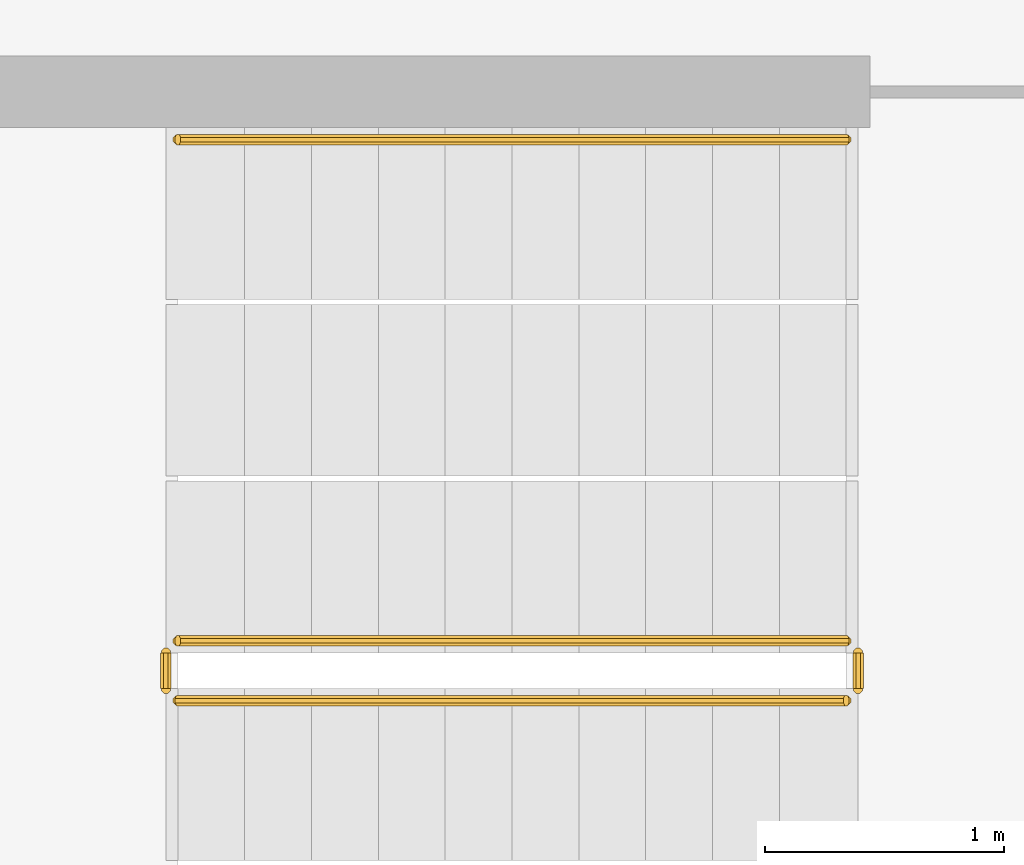
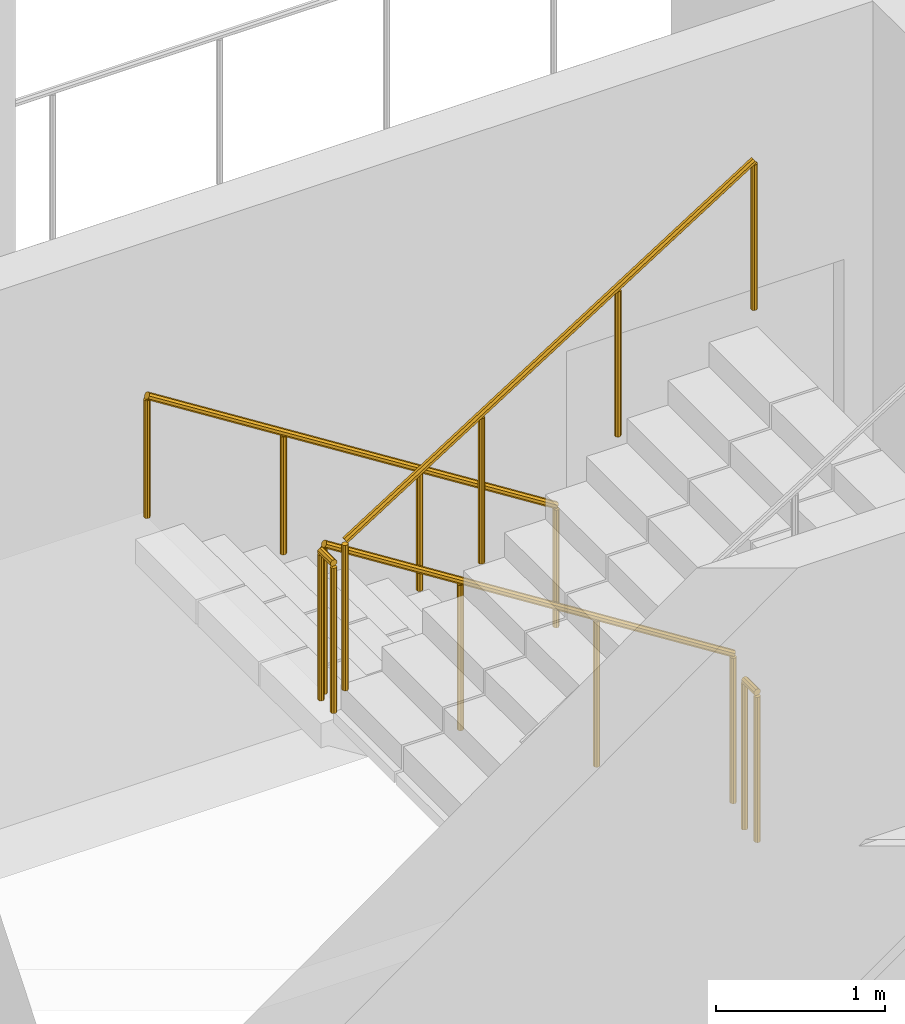
# One storey, part 19 of 26: 5 railings.
"""IFC4 building model written with IfcOpenShell, lengths in metres."""

from ifc_helpers import new_model, si_unit, direction, frame, origin, place, context, subcontext, project, spatial, polyline, outline, extrude, material, type_object, element, save


model = new_model("IFC4")

# Units and contexts
model_context = context("Model", 3, precision=1e-05, world=origin(), true_north=direction((0.0, 1.0)))
body_context = subcontext(model_context, "Body", "Model", "MODEL_VIEW")
ifc_project = project(units=[si_unit("LENGTHUNIT", "METRE"), si_unit("AREAUNIT", "SQUARE_METRE"), si_unit("VOLUMEUNIT", "CUBIC_METRE"), si_unit("PLANEANGLEUNIT", "RADIAN"), si_unit("MASSUNIT", "GRAM", prefix="KILO")], contexts=[model_context])

# Site, building, storey
site_placement = place(None, origin())
site = spatial("IfcSite", under=ifc_project, at=site_placement, CompositionType="ELEMENT")
building_placement = place(site_placement, origin())
building = spatial("IfcBuilding", under=site, at=building_placement, Name="Cormorant Relay Tower", CompositionType="ELEMENT")
storey_placement = place(building_placement, frame((0.0, 0.0, 213.0)))
storey = spatial("IfcBuildingStorey", under=building, at=storey_placement, Name="L46", CompositionType="ELEMENT", Elevation=213.0)

# Railings
ifc_material_1 = material(Name="Steel ASTM A572 Grade 50 (Fy 345 MPa)", Category="steel")
railing_type_1 = type_object("IfcRailingType", Name="Stair guard 1100", PredefinedType="GUARDRAIL", material=ifc_material_1)
railing_1_placement = place(storey_placement, frame((1.60009765625, -18.27490234375, 0.17724609375)))
element("IfcRailing", 1, at=railing_1_placement, inside=storey, type_object=railing_type_1, Name="L46 RK1 stair guard 1", PredefinedType="GUARDRAIL", context=body_context, shape_type="SweptSolid", body=[
    extrude(outline(polyline([(0.022216796875, 0.00927734375), (0.00927734375, 0.022216796875), (-0.00927734375, 0.022216796875), (-0.022216796875, 0.00927734375), (-0.022216796875, -0.00927734375), (-0.00927734375, -0.022216796875), (0.00927734375, -0.022216796875), (0.022216796875, -0.00927734375), (0.022216796875, 0.00927734375)])), frame((0.0, 0.0, 1.076171875), z_axis=(-0.844908973607, 0.0, 0.534910110503), x_axis=(0.0, -1.0, 0.0)), (0.0, 0.0, 1.0), 3.31396484375),
    extrude(outline(polyline([(0.019287109375, 0.008056640625), (0.008056640625, 0.019287109375), (-0.008056640625, 0.019287109375), (-0.019287109375, 0.008056640625), (-0.019287109375, -0.008056640625), (-0.008056640625, -0.019287109375), (0.008056640625, -0.019287109375), (0.019287109375, -0.008056640625), (0.019287109375, 0.008056640625)])), origin(), (0.0, 0.0, 1.0), 1.052001953125),
    extrude(outline(polyline([(0.019287109375, 0.008056640625), (0.008056640625, 0.019287109375), (-0.008056640625, 0.019287109375), (-0.019287109375, 0.008056640625), (-0.019287109375, -0.008056640625), (-0.008056640625, -0.019287109375), (0.008056640625, -0.019287109375), (0.019287109375, -0.008056640625), (0.019287109375, 0.008056640625)])), frame((-0.933349609375, 0.0, 0.5908203125)), (0.0, 0.0, 1.0), 1.052001953125),
    extrude(outline(polyline([(0.019287109375, 0.008056640625), (0.008056640625, 0.019287109375), (-0.008056640625, 0.019287109375), (-0.019287109375, 0.008056640625), (-0.019287109375, -0.008056640625), (-0.008056640625, -0.019287109375), (0.008056640625, -0.019287109375), (0.019287109375, -0.008056640625), (0.019287109375, 0.008056640625)])), frame((-1.86669921875, 0.0, 1.181884765625)), (0.0, 0.0, 1.0), 1.052001953125),
    extrude(outline(polyline([(0.019287109375, 0.008056640625), (0.008056640625, 0.019287109375), (-0.008056640625, 0.019287109375), (-0.019287109375, 0.008056640625), (-0.019287109375, -0.008056640625), (-0.008056640625, -0.019287109375), (0.008056640625, -0.019287109375), (0.019287109375, -0.008056640625), (0.019287109375, 0.008056640625)])), frame((-2.800048828125, 0.0, 1.772705078125)), (0.0, 0.0, 1.0), 1.052001953125),
])
railing_2_placement = place(storey_placement, frame((-1.25, -18.324951171875, 1.949951171875)))
element("IfcRailing", 2, at=railing_2_placement, inside=storey, type_object=railing_type_1, Name="L46 RK1 stair guard 2", PredefinedType="GUARDRAIL", context=body_context, shape_type="SweptSolid", body=[
    extrude(outline(polyline([(0.022216796875, 0.00927734375), (0.00927734375, 0.022216796875), (-0.00927734375, 0.022216796875), (-0.022216796875, 0.00927734375), (-0.022216796875, -0.00927734375), (-0.00927734375, -0.022216796875), (0.00927734375, -0.022216796875), (0.022216796875, -0.00927734375), (0.022216796875, 0.00927734375)])), frame((0.0, 0.0, 1.076171875), z_axis=(0.0, -1.0, 0.0), x_axis=(1.0, 0.0, 0.0)), (0.0, 0.0, 1.0), 0.150146484375),
    extrude(outline(polyline([(0.019287109375, 0.008056640625), (0.008056640625, 0.019287109375), (-0.008056640625, 0.019287109375), (-0.019287109375, 0.008056640625), (-0.019287109375, -0.008056640625), (-0.008056640625, -0.019287109375), (0.008056640625, -0.019287109375), (0.019287109375, -0.008056640625), (0.019287109375, 0.008056640625)])), origin(), (0.0, 0.0, 1.0), 1.052001953125),
    extrude(outline(polyline([(0.019287109375, 0.008056640625), (0.008056640625, 0.019287109375), (-0.008056640625, 0.019287109375), (-0.019287109375, 0.008056640625), (-0.019287109375, -0.008056640625), (-0.008056640625, -0.019287109375), (0.008056640625, -0.019287109375), (0.019287109375, -0.008056640625), (0.019287109375, 0.008056640625)])), frame((0.0, -0.150146484375, 0.0)), (0.0, 0.0, 1.0), 1.052001953125),
])
railing_3_placement = place(storey_placement, frame((-1.199951171875, -18.52490234375, 2.127197265625)))
element("IfcRailing", 3, at=railing_3_placement, inside=storey, type_object=railing_type_1, Name="L46 RK1 stair guard 3", PredefinedType="GUARDRAIL", context=body_context, shape_type="SweptSolid", body=[
    extrude(outline(polyline([(0.022216796875, 0.00927734375), (0.00927734375, 0.022216796875), (-0.00927734375, 0.022216796875), (-0.022216796875, 0.00927734375), (-0.022216796875, -0.00927734375), (-0.00927734375, -0.022216796875), (0.00927734375, -0.022216796875), (0.022216796875, -0.00927734375), (0.022216796875, 0.00927734375)])), frame((0.0, 0.0, 1.076171875), z_axis=(0.844908973607, 0.0, 0.534910110503), x_axis=(0.0, 1.0, 0.0)), (0.0, 0.0, 1.0), 3.31396484375),
    extrude(outline(polyline([(0.019287109375, 0.008056640625), (0.008056640625, 0.019287109375), (-0.008056640625, 0.019287109375), (-0.019287109375, 0.008056640625), (-0.019287109375, -0.008056640625), (-0.008056640625, -0.019287109375), (0.008056640625, -0.019287109375), (0.019287109375, -0.008056640625), (0.019287109375, 0.008056640625)])), origin(), (0.0, 0.0, 1.0), 1.052001953125),
    extrude(outline(polyline([(0.019287109375, 0.008056640625), (0.008056640625, 0.019287109375), (-0.008056640625, 0.019287109375), (-0.019287109375, 0.008056640625), (-0.019287109375, -0.008056640625), (-0.008056640625, -0.019287109375), (0.008056640625, -0.019287109375), (0.019287109375, -0.008056640625), (0.019287109375, 0.008056640625)])), frame((0.933349609375, 0.0, 0.5908203125)), (0.0, 0.0, 1.0), 1.052001953125),
    extrude(outline(polyline([(0.019287109375, 0.008056640625), (0.008056640625, 0.019287109375), (-0.008056640625, 0.019287109375), (-0.019287109375, 0.008056640625), (-0.019287109375, -0.008056640625), (-0.008056640625, -0.019287109375), (0.008056640625, -0.019287109375), (0.019287109375, -0.008056640625), (0.019287109375, 0.008056640625)])), frame((1.86669921875, 0.0, 1.181884765625)), (0.0, 0.0, 1.0), 1.052001953125),
    extrude(outline(polyline([(0.019287109375, 0.008056640625), (0.008056640625, 0.019287109375), (-0.008056640625, 0.019287109375), (-0.019287109375, 0.008056640625), (-0.019287109375, -0.008056640625), (-0.008056640625, -0.019287109375), (0.008056640625, -0.019287109375), (0.019287109375, -0.008056640625), (0.019287109375, 0.008056640625)])), frame((2.800048828125, 0.0, 1.772705078125)), (0.0, 0.0, 1.0), 1.052001953125),
])
railing_4_placement = place(storey_placement, frame((1.64990234375, -18.324951171875, 0.0)))
element("IfcRailing", 4, at=railing_4_placement, inside=storey, type_object=railing_type_1, Name="L46 RK1 stair guard 4", PredefinedType="GUARDRAIL", context=body_context, shape_type="SweptSolid", body=[
    extrude(outline(polyline([(0.022216796875, 0.00927734375), (0.00927734375, 0.022216796875), (-0.00927734375, 0.022216796875), (-0.022216796875, 0.00927734375), (-0.022216796875, -0.00927734375), (-0.00927734375, -0.022216796875), (0.00927734375, -0.022216796875), (0.022216796875, -0.00927734375), (0.022216796875, 0.00927734375)])), frame((0.0, 0.0, 1.076171875), z_axis=(0.0, -1.0, 0.0), x_axis=(1.0, 0.0, 0.0)), (0.0, 0.0, 1.0), 0.150146484375),
    extrude(outline(polyline([(0.019287109375, 0.008056640625), (0.008056640625, 0.019287109375), (-0.008056640625, 0.019287109375), (-0.019287109375, 0.008056640625), (-0.019287109375, -0.008056640625), (-0.008056640625, -0.019287109375), (0.008056640625, -0.019287109375), (0.019287109375, -0.008056640625), (0.019287109375, 0.008056640625)])), origin(), (0.0, 0.0, 1.0), 1.052001953125),
    extrude(outline(polyline([(0.019287109375, 0.008056640625), (0.008056640625, 0.019287109375), (-0.008056640625, 0.019287109375), (-0.019287109375, 0.008056640625), (-0.019287109375, -0.008056640625), (-0.008056640625, -0.019287109375), (0.008056640625, -0.019287109375), (0.019287109375, -0.008056640625), (0.019287109375, 0.008056640625)])), frame((0.0, -0.150146484375, 0.0)), (0.0, 0.0, 1.0), 1.052001953125),
])
ifc_material_2 = material(Name="Steel ASTM A572 Grade 50 (Fy 345 MPa)", Category="steel")
railing_type_2 = type_object("IfcRailingType", Name="Stair handrail 900", PredefinedType="HANDRAIL", material=ifc_material_2)
railing_5_placement = place(storey_placement, frame((1.60009765625, -16.175048828125, 0.17724609375)))
element("IfcRailing", 5, at=railing_5_placement, inside=storey, type_object=railing_type_2, Name="L46 RK1 stair handrail 1", PredefinedType="HANDRAIL", context=body_context, shape_type="SweptSolid", body=[
    extrude(outline(polyline([(0.022216796875, 0.00927734375), (0.00927734375, 0.022216796875), (-0.00927734375, 0.022216796875), (-0.022216796875, 0.00927734375), (-0.022216796875, -0.00927734375), (-0.00927734375, -0.022216796875), (0.00927734375, -0.022216796875), (0.022216796875, -0.00927734375), (0.022216796875, 0.00927734375)])), frame((0.0, 0.0, 0.8759765625), z_axis=(-0.844908973607, 0.0, 0.534910110503), x_axis=(0.0, -1.0, 0.0)), (0.0, 0.0, 1.0), 3.31396484375),
    extrude(outline(polyline([(0.019287109375, 0.008056640625), (0.008056640625, 0.019287109375), (-0.008056640625, 0.019287109375), (-0.019287109375, 0.008056640625), (-0.019287109375, -0.008056640625), (-0.008056640625, -0.019287109375), (0.008056640625, -0.019287109375), (0.019287109375, -0.008056640625), (0.019287109375, 0.008056640625)])), origin(), (0.0, 0.0, 1.0), 0.851806640625),
    extrude(outline(polyline([(0.019287109375, 0.008056640625), (0.008056640625, 0.019287109375), (-0.008056640625, 0.019287109375), (-0.019287109375, 0.008056640625), (-0.019287109375, -0.008056640625), (-0.008056640625, -0.019287109375), (0.008056640625, -0.019287109375), (0.019287109375, -0.008056640625), (0.019287109375, 0.008056640625)])), frame((-0.933349609375, 0.0, 0.5908203125)), (0.0, 0.0, 1.0), 0.851806640625),
    extrude(outline(polyline([(0.019287109375, 0.008056640625), (0.008056640625, 0.019287109375), (-0.008056640625, 0.019287109375), (-0.019287109375, 0.008056640625), (-0.019287109375, -0.008056640625), (-0.008056640625, -0.019287109375), (0.008056640625, -0.019287109375), (0.019287109375, -0.008056640625), (0.019287109375, 0.008056640625)])), frame((-1.86669921875, 0.0, 1.181884765625)), (0.0, 0.0, 1.0), 0.851806640625),
    extrude(outline(polyline([(0.019287109375, 0.008056640625), (0.008056640625, 0.019287109375), (-0.008056640625, 0.019287109375), (-0.019287109375, 0.008056640625), (-0.019287109375, -0.008056640625), (-0.008056640625, -0.019287109375), (0.008056640625, -0.019287109375), (0.019287109375, -0.008056640625), (0.019287109375, 0.008056640625)])), frame((-2.800048828125, 0.0, 1.772705078125)), (0.0, 0.0, 1.0), 0.851806640625),
])

save(model, "model.ifc")
